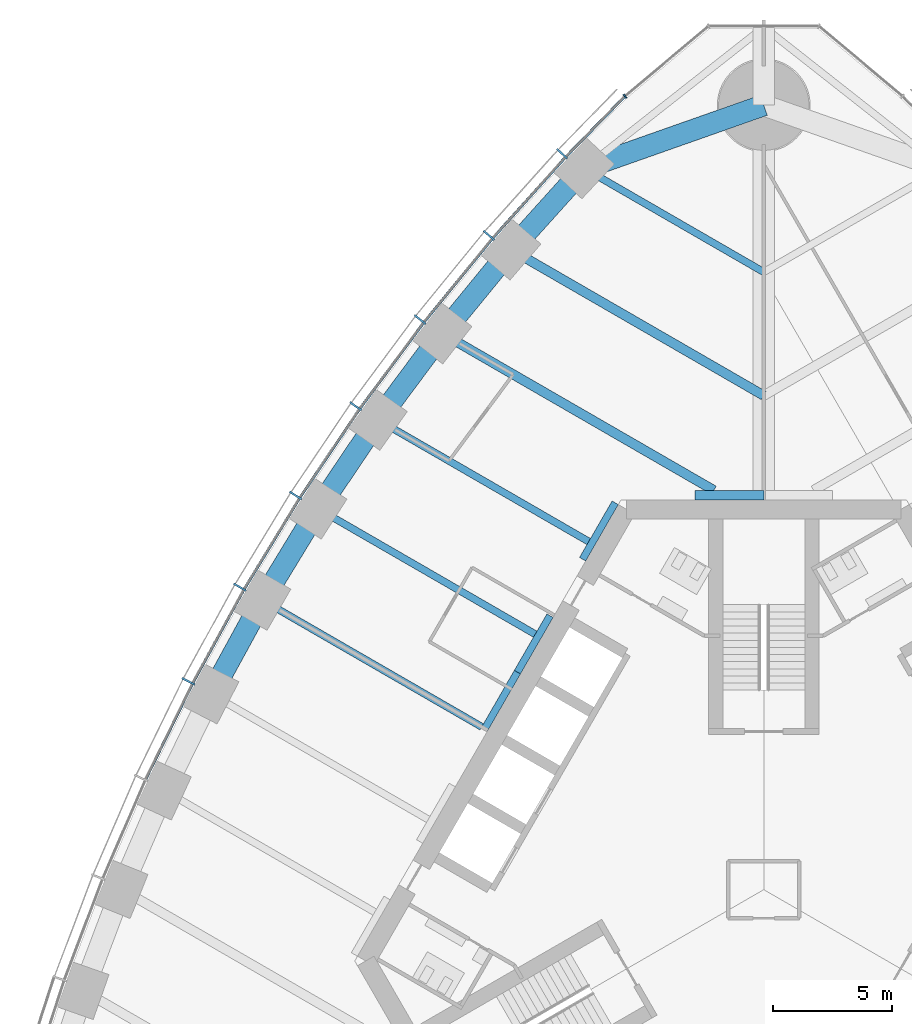
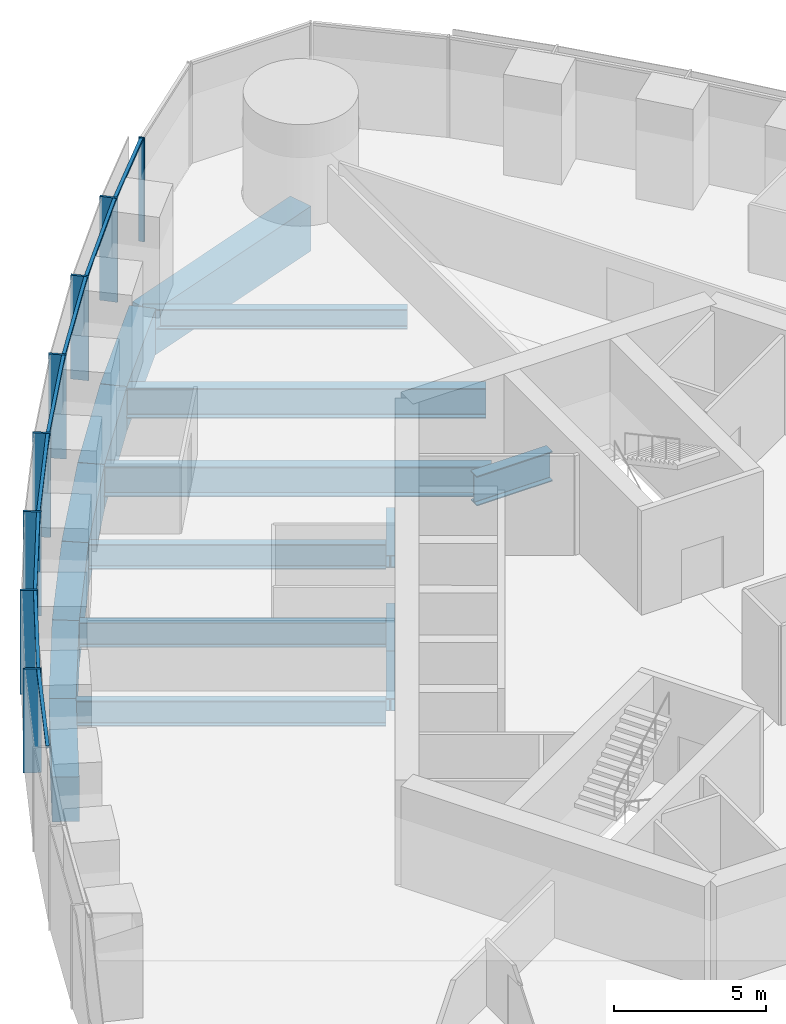
# One storey, part 5 of 18: 17 beams, 16 members, 2 elements without a shape of their own.
"""IFC4 building model written with IfcOpenShell, lengths in metres."""

import ifcopenshell
import ifcopenshell.guid

model = None  # the IFC model being written
_history = None  # IfcOwnerHistory: only IFC2X3 demands one
_inside = {}  # id of a spatial element -> (the spatial element, [elements in it])
_under = {}  # id of a project, library or spatial element -> (it, [spatial elements below it])
_declared = {}  # id of a project -> (the project, [libraries it declares])
_typed = {}  # id of a type object -> (the type object, [elements of that type])
_made_of = {}  # id of a material, layer set ... -> (it, [elements and type objects made of it])


def new_model(schema):
    """Start an empty IFC model of exactly this schema.

    Asked for "IFC4X3", IfcOpenShell would pick the latest addendum, in which some entities
    have other attributes; the version numbers below select the first issue.
    IFC2X3 requires an IfcOwnerHistory on every rooted entity: one is made here for all.
    """
    global model, _history
    if schema == "IFC4X3":
        model = ifcopenshell.file(schema_version=(4, 3, 0, 0))
    else:
        model = ifcopenshell.file(schema=schema)
    _inside.clear()
    _under.clear()
    _declared.clear()
    _typed.clear()
    _made_of.clear()
    _history = None
    if model.schema == "IFC2X3":
        org = make("IfcOrganization", Name="unknown")
        user = make(
            "IfcPersonAndOrganization",
            ThePerson=make("IfcPerson", FamilyName="unknown"),
            TheOrganization=org,
        )
        app = make(
            "IfcApplication",
            ApplicationDeveloper=org,
            Version="unknown",
            ApplicationFullName="unknown",
            ApplicationIdentifier="unknown",
        )
        _history = make(
            "IfcOwnerHistory",
            OwningUser=user,
            OwningApplication=app,
            ChangeAction="ADDED",
            CreationDate=0,
        )
    return model


def make(cls, **values):
    """One entity of the class cls with the attributes given. An attribute that is None is left unset."""
    return model.create_entity(
        cls, **{name: value for name, value in values.items() if value is not None}
    )


def rooted(cls, **values):
    """An entity with a GlobalId (a new one), such as an element, a storey or a relation."""
    return make(cls, GlobalId=ifcopenshell.guid.new(), OwnerHistory=_history, **values)


def si_unit(unit_type, name, prefix=None):
    """IfcSIUnit, for example si_unit("LENGTHUNIT", "METRE", prefix="MILLI")."""
    return make("IfcSIUnit", UnitType=unit_type, Prefix=prefix, Name=name)


def assignment(units):
    """IfcUnitAssignment: the units of a project."""
    return None if units is None else make("IfcUnitAssignment", Units=units)


def point(xyz):
    """IfcCartesianPoint."""
    return None if xyz is None else make("IfcCartesianPoint", Coordinates=xyz)


def direction(xyz):
    """IfcDirection."""
    return None if xyz is None else make("IfcDirection", DirectionRatios=xyz)


def frame(location, z_axis=None, x_axis=None):
    """IfcAxis2Placement3D, a coordinate frame: its origin and axes. An axis left out is left unset."""
    return make(
        "IfcAxis2Placement3D",
        Location=point(location),
        Axis=direction(z_axis),
        RefDirection=direction(x_axis),
    )


def frame_2d(location, x_axis=None):
    """IfcAxis2Placement2D, a coordinate frame in the plane: its origin and x axis."""
    return make(
        "IfcAxis2Placement2D", Location=point(location), RefDirection=direction(x_axis)
    )


def origin():
    """The frame at (0, 0, 0) with its axes left unset."""
    return frame((0.0, 0.0, 0.0))


def origin_2d():
    """The frame at (0, 0) in the plane with its x axis left unset."""
    return frame_2d((0.0, 0.0))


def place(relative_to, where):
    """IfcLocalPlacement: puts the frame where relative to a parent placement (None: the world)."""
    return make(
        "IfcLocalPlacement", PlacementRelTo=relative_to, RelativePlacement=where
    )


def context(
    kind, dimensions, precision=None, world=None, true_north=None, identifier=None
):
    """IfcGeometricRepresentationContext, for example the 3D "Model" context."""
    return make(
        "IfcGeometricRepresentationContext",
        ContextIdentifier=identifier,
        ContextType=kind,
        CoordinateSpaceDimension=dimensions,
        Precision=precision,
        WorldCoordinateSystem=world,
        TrueNorth=true_north,
    )


def subcontext(parent, identifier, kind, view, scale=None):
    """IfcGeometricRepresentationSubContext, for example "Body" below "Model"."""
    return make(
        "IfcGeometricRepresentationSubContext",
        ContextIdentifier=identifier,
        ContextType=kind,
        ParentContext=parent,
        TargetScale=scale,
        TargetView=view,
    )


def project(units=None, contexts=None):
    """IfcProject with its units and contexts."""
    return rooted(
        "IfcProject",
        Name="project",
        RepresentationContexts=contexts,
        UnitsInContext=assignment(units),
    )


def spatial(cls, under=None, at=None, **own):
    """A site, building, storey or space (cls), placed at a placement, below another one or the project."""
    s = rooted(cls, ObjectPlacement=at, **own)
    if under is not None:
        _under.setdefault(under.id(), (under, []))[1].append(s)
    return s


def profile(cls, at=None, kind="AREA", **sizes):
    """A parametric profile (cls). Its sizes go by their IFC names, for example OverallWidth=200.0."""
    return make(cls, ProfileType=kind, Position=at, **sizes)


def rectangle(**sizes):
    """IfcRectangleProfileDef."""
    return profile("IfcRectangleProfileDef", **sizes)


def i_section(**sizes):
    """IfcIShapeProfileDef."""
    return profile("IfcIShapeProfileDef", **sizes)


def extrude(swept, where, along, depth):
    """IfcExtrudedAreaSolid: the profile swept, set in the frame where, extruded along a direction by depth."""
    return make(
        "IfcExtrudedAreaSolid",
        SweptArea=swept,
        Position=where,
        ExtrudedDirection=direction(along),
        Depth=depth,
    )


def shape(context_of_items, identifier, shape_type, items):
    """IfcShapeRepresentation: the items that make up one representation, for example the "Body"."""
    return make(
        "IfcShapeRepresentation",
        ContextOfItems=context_of_items,
        RepresentationIdentifier=identifier,
        RepresentationType=shape_type,
        Items=items,
    )


def material(Name=None, Category=None):
    """IfcMaterial."""
    return make("IfcMaterial", Name=Name, Category=Category)


def material_profile(
    of_material, cross_section, Name=None, Category=None, Priority=None
):
    """IfcMaterialProfile: a cross section and its material."""
    return make(
        "IfcMaterialProfile",
        Name=Name,
        Material=of_material,
        Profile=cross_section,
        Priority=Priority,
        Category=Category,
    )


def profile_set(profiles, Name=None, composite=None):
    """IfcMaterialProfileSet."""
    return make(
        "IfcMaterialProfileSet",
        Name=Name,
        MaterialProfiles=profiles,
        CompositeProfile=composite,
    )


def made_of(thing, what):
    """Note that an element or type object is made of a material, layer set ...; save() writes the relation."""
    if what is not None:
        _made_of.setdefault(what.id(), (what, []))[1].append(thing)
    return thing


def type_object(cls, material=None, **own):
    """A type object (cls), such as IfcWallType, which elements share."""
    return made_of(rooted(cls, **own), material)


def element(
    cls,
    number,
    at=None,
    inside=None,
    cuts=None,
    type_object=None,
    material=None,
    context=None,
    identifier="Body",
    shape_type=None,
    held_by="IfcProductDefinitionShape",
    body=None,
    shapes=None,
    **own,
):
    """One element of the class cls, such as IfcWall. Its Tag is "e" and its number.

    at: its placement. inside: the storey or other place that contains it. cuts: it is an
    opening in that element (IfcRelVoidsElement). A single representation is given by context,
    identifier, shape_type and body (its items); several are given by shapes. held_by: the class
    of the entity that holds the representations. save() writes the other relations.
    """
    e = rooted(cls, Tag="e%d" % number, ObjectPlacement=at, **own)
    if body is not None:
        shapes = [shape(context, identifier, shape_type, body)]
    if shapes is not None:
        e.Representation = make(held_by, Representations=shapes)
    if inside is not None:
        _inside.setdefault(inside.id(), (inside, []))[1].append(e)
    if cuts is not None:
        rooted(
            "IfcRelVoidsElement", RelatingBuildingElement=cuts, RelatedOpeningElement=e
        )
    if type_object is not None:
        _typed.setdefault(type_object.id(), (type_object, []))[1].append(e)
    return made_of(e, material)


def aggregate(whole, parts):
    """IfcRelAggregates: a whole, such as a stair, and the parts it consists of."""
    return rooted("IfcRelAggregates", RelatingObject=whole, RelatedObjects=parts)


def save(model, path):
    """Write the relations noted so far, then the file.

    IfcRelAggregates (storeys below a building ...), IfcRelContainedInSpatialStructure (elements
    in a storey), IfcRelDefinesByType, IfcRelAssociatesMaterial and IfcRelDeclares: one each for
    every whole, place, type object, material and project.
    """
    for whole, parts in _under.values():
        aggregate(whole, parts)
    for where, things in _inside.values():
        rooted(
            "IfcRelContainedInSpatialStructure",
            RelatedElements=things,
            RelatingStructure=where,
        )
    for kind, things in _typed.values():
        rooted("IfcRelDefinesByType", RelatedObjects=things, RelatingType=kind)
    for what, things in _made_of.values():
        rooted("IfcRelAssociatesMaterial", RelatedObjects=things, RelatingMaterial=what)
    for by, libraries in _declared.values():
        rooted("IfcRelDeclares", RelatingContext=by, RelatedDefinitions=libraries)
    model.write(path)


model = new_model("IFC4")

# Units and contexts
model_context = context("Model", 3, precision=1e-05, world=origin(), true_north=direction((0.0, 1.0)))
body_context = subcontext(model_context, "Body", "Model", "MODEL_VIEW")
ifc_project = project(units=[si_unit("LENGTHUNIT", "METRE"), si_unit("AREAUNIT", "SQUARE_METRE"), si_unit("VOLUMEUNIT", "CUBIC_METRE"), si_unit("PLANEANGLEUNIT", "RADIAN"), si_unit("MASSUNIT", "GRAM", prefix="KILO")], contexts=[model_context])

# Site, building, storey
site_placement = place(None, origin())
site = spatial("IfcSite", under=ifc_project, at=site_placement, CompositionType="ELEMENT")
building_placement = place(site_placement, origin())
building = spatial("IfcBuilding", under=site, at=building_placement, Name="Trefoil Bronze Tower", CompositionType="ELEMENT")
storey_placement = place(building_placement, frame((0.0, 0.0, 198.10009765625)))
storey = spatial("IfcBuildingStorey", under=building, at=storey_placement, Name="L45", CompositionType="ELEMENT", Elevation=198.10009765625)

# Curtain wall, members
ifc_material_1 = material(Name="Tinted solar-control glass", Category="glass")
curtain_wall_type_1 = type_object("IfcCurtainWallType", Name="Bronze office curtain wall", PredefinedType="USERDEFINED", material=ifc_material_1)
curtain_wall_1_placement = place(storey_placement, origin())
curtain_wall_1 = element("IfcCurtainWall", 1, at=curtain_wall_1_placement, inside=storey, type_object=curtain_wall_type_1, Name="CW-A L45 F3", ObjectType="CURTAIN WALL", PredefinedType="USERDEFINED")
ifc_material_2 = material(Name="Bronze-finish aluminium", Category="aluminium")
ifc_material_profile_1 = material_profile(ifc_material_2, rectangle(XDim=0.60009765625, YDim=0.080078125, at=origin_2d()), Name="CW-A mullion")
ifc_profile_set_1 = profile_set([ifc_material_profile_1], Name="Bronze-finish aluminium")
member_type_1 = type_object("IfcMemberType", Name="Bronze office curtain wall mullion", PredefinedType="MULLION", material=ifc_profile_set_1)
member_1_placement = place(storey_placement, frame((-8.482177734375, 30.95654296875, 0.0), z_axis=(0.0, 0.0, 1.0), x_axis=(0.729859580661, -0.683597098091, 0.0)))
member_1 = element("IfcMember", 2, at=member_1_placement, type_object=member_type_1, Name="CW-A L45 F3 mullion 2", PredefinedType="MULLION", context=body_context, shape_type="SweptSolid", body=[
    extrude(rectangle(XDim=0.60009765625, YDim=0.080078125, at=origin_2d()), origin(), (0.0, 0.0, 1.0), 4.179931640625),
])
member_2_placement = place(storey_placement, frame((-11.564697265625, 27.525146484375, 0.0), z_axis=(0.0, 0.0, 1.0), x_axis=(0.75935470958, -0.650676897576, 0.0)))
member_2 = element("IfcMember", 3, at=member_2_placement, type_object=member_type_1, Name="CW-A L45 F3 mullion 3", PredefinedType="MULLION", context=body_context, shape_type="SweptSolid", body=[
    extrude(rectangle(XDim=0.60009765625, YDim=0.080078125, at=origin_2d()), origin(), (0.0, 0.0, 1.0), 4.179931640625),
])
member_3_placement = place(storey_placement, frame((-14.45849609375, 23.98388671875, 0.0), z_axis=(0.0, 0.0, 1.0), x_axis=(0.788821461078, -0.614622406476, 0.0)))
member_3 = element("IfcMember", 4, at=member_3_placement, type_object=member_type_1, Name="CW-A L45 F3 mullion 4", PredefinedType="MULLION", context=body_context, shape_type="SweptSolid", body=[
    extrude(rectangle(XDim=0.60009765625, YDim=0.080078125, at=origin_2d()), origin(), (0.0, 0.0, 1.0), 4.179931640625),
])
member_4_placement = place(storey_placement, frame((-17.167236328125, 20.335693359375, 0.0), z_axis=(0.0, 0.0, 1.0), x_axis=(0.81640398396, -0.577481198806, 0.0)))
member_4 = element("IfcMember", 5, at=member_4_placement, type_object=member_type_1, Name="CW-A L45 F3 mullion 5", PredefinedType="MULLION", context=body_context, shape_type="SweptSolid", body=[
    extrude(rectangle(XDim=0.60009765625, YDim=0.080078125, at=origin_2d()), origin(), (0.0, 0.0, 1.0), 4.179931640625),
])
member_5_placement = place(storey_placement, frame((-19.694091796875, 16.58251953125, 0.0), z_axis=(0.0, 0.0, 1.0), x_axis=(0.842132664593, -0.539270410114, 0.0)))
member_5 = element("IfcMember", 6, at=member_5_placement, type_object=member_type_1, Name="CW-A L45 F3 mullion 6", PredefinedType="MULLION", context=body_context, shape_type="SweptSolid", body=[
    extrude(rectangle(XDim=0.60009765625, YDim=0.080078125, at=origin_2d()), origin(), (0.0, 0.0, 1.0), 4.179931640625),
])
member_6_placement = place(storey_placement, frame((-22.041015625, 12.725341796875, 0.0), z_axis=(0.0, 0.0, 1.0), x_axis=(0.866025403784, -0.5, 0.0)))
member_6 = element("IfcMember", 7, at=member_6_placement, type_object=member_type_1, Name="CW-A L45 F3 mullion 7", PredefinedType="MULLION", context=body_context, shape_type="SweptSolid", body=[
    extrude(rectangle(XDim=0.60009765625, YDim=0.080078125, at=origin_2d()), origin(), (0.0, 0.0, 1.0), 4.179931640625),
])
member_7_placement = place(storey_placement, frame((-24.2080078125, 8.764404296875, 0.0), z_axis=(0.0, 0.0, 1.0), x_axis=(0.888088206965, -0.459673075837, 0.0)))
member_7 = element("IfcMember", 8, at=member_7_placement, type_object=member_type_1, Name="CW-A L45 F3 mullion 8", PredefinedType="MULLION", context=body_context, shape_type="SweptSolid", body=[
    extrude(rectangle(XDim=0.60009765625, YDim=0.080078125, at=origin_2d()), origin(), (0.0, 0.0, 1.0), 4.179931640625),
])
ifc_material_3 = material(Name="Bronze-finish aluminium", Category="aluminium")
ifc_material_profile_2 = material_profile(ifc_material_3, rectangle(XDim=0.1201171875, YDim=0.10009765625, at=origin_2d()), Name="CW-A transom")
ifc_profile_set_2 = profile_set([ifc_material_profile_2], Name="Bronze-finish aluminium")
member_type_2 = type_object("IfcMemberType", Name="Bronze office curtain wall transom", PredefinedType="USERDEFINED", material=ifc_profile_set_2)
member_8_placement = place(storey_placement, frame((-5.873046875, 33.342529296875, 4.1298828125), z_axis=(-0.698646935368, -0.715466602785, 0.0), x_axis=(0.715466602785, -0.698646935368, 0.0)))
member_8 = element("IfcMember", 9, at=member_8_placement, type_object=member_type_2, Name="CW-A L45 F3 transom 1", ObjectType="TRANSOM", PredefinedType="USERDEFINED", context=body_context, shape_type="SweptSolid", body=[
    extrude(rectangle(XDim=0.1201171875, YDim=0.10009765625, at=origin_2d()), origin(), (0.0, 0.0, 1.0), 3.483642578125),
])
member_9_placement = place(storey_placement, frame((-8.364501953125, 30.78857421875, 4.1298828125), z_axis=(-0.66825109551, -0.743935799213, 0.0), x_axis=(0.743935799213, -0.66825109551, 0.0)))
member_9 = element("IfcMember", 10, at=member_9_placement, type_object=member_type_2, Name="CW-A L45 F3 transom 2", ObjectType="TRANSOM", PredefinedType="USERDEFINED", context=body_context, shape_type="SweptSolid", body=[
    extrude(rectangle(XDim=0.1201171875, YDim=0.10009765625, at=origin_2d()), origin(), (0.0, 0.0, 1.0), 4.519287109375),
])
member_10_placement = place(storey_placement, frame((-11.439453125, 27.3623046875, 4.1298828125), z_axis=(-0.632756871921, -0.774350528531, 0.0), x_axis=(0.774350528531, -0.632756871921, 0.0)))
member_10 = element("IfcMember", 11, at=member_10_placement, type_object=member_type_2, Name="CW-A L45 F3 transom 3", ObjectType="TRANSOM", PredefinedType="USERDEFINED", context=body_context, shape_type="SweptSolid", body=[
    extrude(rectangle(XDim=0.1201171875, YDim=0.10009765625, at=origin_2d()), origin(), (0.0, 0.0, 1.0), 4.4794921875),
])
member_11_placement = place(storey_placement, frame((-14.325927734375, 23.826904296875, 4.1298828125), z_axis=(-0.59614822717, -0.802874393191, 0.0), x_axis=(0.802874393191, -0.59614822717, 0.0)))
member_11 = element("IfcMember", 12, at=member_11_placement, type_object=member_type_2, Name="CW-A L45 F3 transom 4", ObjectType="TRANSOM", PredefinedType="USERDEFINED", context=body_context, shape_type="SweptSolid", body=[
    extrude(rectangle(XDim=0.1201171875, YDim=0.10009765625, at=origin_2d()), origin(), (0.0, 0.0, 1.0), 4.449951171875),
])
member_12_placement = place(storey_placement, frame((-17.027587890625, 20.18505859375, 4.1298828125), z_axis=(-0.558509087547, -0.829498402125, 0.0), x_axis=(0.829498402125, -0.558509087547, 0.0)))
member_12 = element("IfcMember", 13, at=member_12_placement, type_object=member_type_2, Name="CW-A L45 F3 transom 5", ObjectType="TRANSOM", PredefinedType="USERDEFINED", context=body_context, shape_type="SweptSolid", body=[
    extrude(rectangle(XDim=0.1201171875, YDim=0.10009765625, at=origin_2d()), origin(), (0.0, 0.0, 1.0), 4.4306640625),
])
member_13_placement = place(storey_placement, frame((-19.5478515625, 16.4384765625, 4.1298828125), z_axis=(-0.519740214649, -0.854324358354, 0.0), x_axis=(0.854324358354, -0.519740214649, 0.0)))
member_13 = element("IfcMember", 14, at=member_13_placement, type_object=member_type_2, Name="CW-A L45 F3 transom 6", ObjectType="TRANSOM", PredefinedType="USERDEFINED", context=body_context, shape_type="SweptSolid", body=[
    extrude(rectangle(XDim=0.1201171875, YDim=0.10009765625, at=origin_2d()), origin(), (0.0, 0.0, 1.0), 4.421142578125),
])
member_14_placement = place(storey_placement, frame((-21.887939453125, 12.588134765625, 4.1298828125), z_axis=(-0.479973729071, -0.877282861683, 0.0), x_axis=(0.877282861683, -0.479973729071, 0.0)))
member_14 = element("IfcMember", 15, at=member_14_placement, type_object=member_type_2, Name="CW-A L45 F3 transom 7", ObjectType="TRANSOM", PredefinedType="USERDEFINED", context=body_context, shape_type="SweptSolid", body=[
    extrude(rectangle(XDim=0.1201171875, YDim=0.10009765625, at=origin_2d()), origin(), (0.0, 0.0, 1.0), 4.421142578125),
])
member_15_placement = place(storey_placement, frame((-24.048828125, 8.634521484375, 4.1298828125), z_axis=(-0.439150835991, -0.898413347657, 0.0), x_axis=(0.898413347657, -0.439150835991, 0.0)))
member_15 = element("IfcMember", 16, at=member_15_placement, type_object=member_type_2, Name="CW-A L45 F3 transom 8", ObjectType="TRANSOM", PredefinedType="USERDEFINED", context=body_context, shape_type="SweptSolid", body=[
    extrude(rectangle(XDim=0.1201171875, YDim=0.10009765625, at=origin_2d()), origin(), (0.0, 0.0, 1.0), 4.430908203125),
])
aggregate(curtain_wall_1, [member_1, member_2, member_3, member_4, member_5, member_6, member_7, member_8, member_9, member_10, member_11, member_12, member_13, member_14, member_15])

# Curtain wall, member
ifc_material_4 = material(Name="Tinted solar-control glass", Category="glass")
curtain_wall_type_2 = type_object("IfcCurtainWallType", Name="Bronze rounded corner curtain wall", PredefinedType="USERDEFINED", material=ifc_material_4)
curtain_wall_2_placement = place(storey_placement, origin())
curtain_wall_2 = element("IfcCurtainWall", 17, at=curtain_wall_2_placement, inside=storey, type_object=curtain_wall_type_2, Name="CW-B L45 K2", ObjectType="CURTAIN WALL", PredefinedType="USERDEFINED")
ifc_material_5 = material(Name="Bronze-finish aluminium", Category="aluminium")
ifc_material_profile_3 = material_profile(ifc_material_5, rectangle(XDim=0.199951171875, YDim=0.06005859375, at=origin_2d()), Name="CW-B mullion")
ifc_profile_set_3 = profile_set([ifc_material_profile_3], Name="Bronze-finish aluminium")
member_type_3 = type_object("IfcMemberType", Name="Bronze rounded corner curtain wall mullion", PredefinedType="MULLION", material=ifc_profile_set_3)
member_16_placement = place(storey_placement, frame((-5.837890625, 33.3779296875, 0.0), z_axis=(0.0, 0.0, 1.0), x_axis=(0.642787609687, -0.766044443119, 0.0)))
member_16 = element("IfcMember", 18, at=member_16_placement, type_object=member_type_3, Name="CW-B L45 K2 mullion 4", PredefinedType="MULLION", context=body_context, shape_type="SweptSolid", body=[
    extrude(rectangle(XDim=0.199951171875, YDim=0.06005859375, at=origin_2d()), origin(), (0.0, 0.0, 1.0), 4.179931640625),
])
aggregate(curtain_wall_2, [member_16])

# Beams
ifc_material_6 = material(Name="Steel C355", Category="steel")
ifc_material_profile_4 = material_profile(ifc_material_6, i_section(OverallWidth=0.300048828125, OverallDepth=0.5, WebThickness=0.014404296875, FlangeThickness=0.028076171875, FilletRadius=0.027099609375, at=origin_2d()), Name="HEB 500")
ifc_profile_set_4 = profile_set([ifc_material_profile_4], Name="Steel C355")
beam_type_1 = type_object("IfcBeamType", Name="Core seat beam HEB 500", PredefinedType="BEAM", material=ifc_profile_set_4)
for number, where, z_axis, x_axis, name in (
    (19, (-6.249755859375, 16.27490234375, -0.4501953125), (-0.500035825175, -0.866004719122, 0.0), (0.866004719122, -0.500035825175, 0.0), "Core seat beam F3/-2 L45"),
    (20, (-8.9921875, 11.52490234375, -0.4501953125), (-0.500035825175, -0.866004719122, 0.0), (0.866004719122, -0.500035825175, 0.0), "Core seat beam F3/-1 L45"),
    (21, (-10.363525390625, 9.14990234375, -0.4501953125), (-0.499969057507, -0.866043267704, 0.0), (0.866043267704, -0.499969057507, 0.0), "Core seat beam F3/+0 L45"),
):
    element("IfcBeam", number, at=place(storey_placement, frame(where, z_axis=z_axis, x_axis=x_axis)), inside=storey, type_object=beam_type_1, Name=name, PredefinedType="BEAM", context=body_context, shape_type="SweptSolid", body=[
        extrude(i_section(OverallWidth=0.300048828125, OverallDepth=0.5, WebThickness=0.014404296875, FlangeThickness=0.028076171875, FilletRadius=0.027099609375, at=origin_2d()), origin(), (0.0, 0.0, 1.0), 2.742431640625),
    ])
ifc_material_7 = material(Name="Steel C355", Category="steel")
ifc_material_profile_5 = material_profile(ifc_material_7, i_section(OverallWidth=0.39990234375, OverallDepth=1.199951171875, WebThickness=0.02001953125, FlangeThickness=0.0400390625, FilletRadius=0.010009765625, at=origin_2d()), Name="WPG 1200")
ifc_profile_set_5 = profile_set([ifc_material_profile_5], Name="Steel C355")
beam_type_2 = type_object("IfcBeamType", Name="Core seat beam WPG 1200", PredefinedType="BEAM", material=ifc_profile_set_5)
beam_1_placement = place(storey_placement, frame((0.0, 16.60009765625, -0.800048828125), z_axis=(-1.0, 0.0, 0.0), x_axis=(0.0, -1.0, 0.0)))
element("IfcBeam", 22, at=beam_1_placement, inside=storey, type_object=beam_type_2, Name="Core seat beam F3/-3 L45", PredefinedType="BEAM", context=body_context, shape_type="SweptSolid", body=[
    extrude(i_section(OverallWidth=0.39990234375, OverallDepth=1.199951171875, WebThickness=0.02001953125, FlangeThickness=0.0400390625, FilletRadius=0.010009765625, at=origin_2d()), origin(), (0.0, 0.0, 1.0), 2.88671875),
])
ifc_material_8 = material(Name="Concrete B80", Category="concrete")
ifc_material_profile_6 = material_profile(ifc_material_8, rectangle(XDim=0.89990234375, YDim=1.800048828125, at=origin_2d()), Name="RC 900x1800")
ifc_profile_set_6 = profile_set([ifc_material_profile_6], Name="Concrete B80")
beam_type_3 = type_object("IfcBeamType", Name="End spandrel beam RC 900x1800", PredefinedType="SPANDREL", material=ifc_profile_set_6)
beam_2_placement = place(storey_placement, frame((0.0, 33.0, -1.10009765625), z_axis=(-0.943234397359, -0.332127794137, 0.0), x_axis=(0.332127794137, -0.943234397359, 0.0)))
element("IfcBeam", 23, at=beam_2_placement, inside=storey, type_object=beam_type_3, Name="Spandrel F3.1 L45", PredefinedType="SPANDREL", context=body_context, shape_type="SweptSolid", body=[
    extrude(rectangle(XDim=0.89990234375, YDim=1.800048828125, at=origin_2d()), origin(), (0.0, 0.0, 1.0), 8.006591796875),
])
ifc_material_9 = material(Name="Steel C355", Category="steel")
ifc_material_profile_7 = material_profile(ifc_material_9, i_section(OverallWidth=0.300048828125, OverallDepth=1.0, WebThickness=0.01904296875, FlangeThickness=0.035888671875, FilletRadius=0.030029296875, at=origin_2d()), Name="HEB 1000")
ifc_profile_set_7 = profile_set([ifc_material_profile_7], Name="Steel C355")
beam_type_4 = type_object("IfcBeamType", Name="Floor beam HEB 1000", PredefinedType="BEAM", material=ifc_profile_set_7)
beam_3_placement = place(storey_placement, frame((-16.2265625, 19.7607421875, -0.7001953125), z_axis=(0.866027856548, -0.499995751665, 0.0), x_axis=(0.499995751665, 0.866027856548, 0.0)))
element("IfcBeam", 24, at=beam_3_placement, inside=storey, type_object=beam_type_4, Name="Floor beam F3/-2 L45", PredefinedType="BEAM", context=body_context, shape_type="SweptSolid", body=[
    extrude(i_section(OverallWidth=0.300048828125, OverallDepth=1.0, WebThickness=0.01904296875, FlangeThickness=0.035888671875, FilletRadius=0.030029296875, at=origin_2d()), origin(), (0.0, 0.0, 1.0), 10.23291015625),
])
beam_4_placement = place(storey_placement, frame((-18.748046875, 16.020263671875, -0.7001953125), z_axis=(0.866027918957, -0.499995643569, 0.0), x_axis=(0.499995643569, 0.866027918957, 0.0)))
element("IfcBeam", 25, at=beam_4_placement, inside=storey, type_object=beam_type_4, Name="Floor beam F3/-1 L45", PredefinedType="BEAM", context=body_context, shape_type="SweptSolid", body=[
    extrude(i_section(OverallWidth=0.300048828125, OverallDepth=1.0, WebThickness=0.01904296875, FlangeThickness=0.035888671875, FilletRadius=0.030029296875, at=origin_2d()), origin(), (0.0, 0.0, 1.0), 10.54638671875),
])
ifc_material_10 = material(Name="Steel C355", Category="steel")
ifc_material_profile_8 = material_profile(ifc_material_10, i_section(OverallWidth=0.300048828125, OverallDepth=0.800048828125, WebThickness=0.017578125, FlangeThickness=0.032958984375, FilletRadius=0.030029296875, at=origin_2d()), Name="HEB 800")
ifc_profile_set_8 = profile_set([ifc_material_profile_8], Name="Steel C355")
beam_type_5 = type_object("IfcBeamType", Name="Floor beam HEB 800", PredefinedType="BEAM", material=ifc_profile_set_8)
beam_5_placement = place(storey_placement, frame((-7.552001953125, 30.3408203125, -0.60009765625), z_axis=(0.866027535932, -0.499996306993, 0.0), x_axis=(0.499996306993, 0.866027535932, 0.0)))
element("IfcBeam", 26, at=beam_5_placement, inside=storey, type_object=beam_type_5, Name="Floor beam F3/-5 L45", PredefinedType="BEAM", context=body_context, shape_type="SweptSolid", body=[
    extrude(i_section(OverallWidth=0.300048828125, OverallDepth=0.800048828125, WebThickness=0.017578125, FlangeThickness=0.032958984375, FilletRadius=0.030029296875, at=origin_2d()), origin(), (0.0, 0.0, 1.0), 8.72021484375),
])
ifc_material_11 = material(Name="Steel C355", Category="steel")
ifc_material_profile_9 = material_profile(ifc_material_11, i_section(OverallWidth=0.302001953125, OverallDepth=1.008056640625, WebThickness=0.02099609375, FlangeThickness=0.0400390625, FilletRadius=0.030029296875, at=origin_2d()), Name="HEM 1000")
ifc_profile_set_9 = profile_set([ifc_material_profile_9], Name="Steel C355")
beam_type_6 = type_object("IfcBeamType", Name="Floor beam HEM 1000", PredefinedType="BEAM", material=ifc_profile_set_9)
beam_6_placement = place(storey_placement, frame((-21.08837890625, 12.17529296875, -0.7041015625), z_axis=(0.866034044198, -0.499985034066, 0.0), x_axis=(0.499985034066, 0.866034044198, 0.0)))
element("IfcBeam", 27, at=beam_6_placement, inside=storey, type_object=beam_type_6, Name="Floor beam F3/+0 L45", PredefinedType="BEAM", context=body_context, shape_type="SweptSolid", body=[
    extrude(i_section(OverallWidth=0.302001953125, OverallDepth=1.008056640625, WebThickness=0.02099609375, FlangeThickness=0.0400390625, FilletRadius=0.030029296875, at=origin_2d()), origin(), (0.0, 0.0, 1.0), 10.650634765625),
])
ifc_material_12 = material(Name="Steel C355", Category="steel")
ifc_material_profile_10 = material_profile(ifc_material_12, i_section(OverallWidth=0.39990234375, OverallDepth=1.199951171875, WebThickness=0.02001953125, FlangeThickness=0.0400390625, FilletRadius=0.010009765625, at=origin_2d()), Name="WPG 1200")
ifc_profile_set_10 = profile_set([ifc_material_profile_10], Name="Steel C355")
beam_type_7 = type_object("IfcBeamType", Name="Floor beam WPG 1200", PredefinedType="BEAM", material=ifc_profile_set_10)
beam_7_placement = place(storey_placement, frame((-10.632080078125, 26.923095703125, -0.800048828125), z_axis=(0.866025635187, -0.499999599199, 0.0), x_axis=(0.499999599199, 0.866025635187, 0.0)))
element("IfcBeam", 28, at=beam_7_placement, inside=storey, type_object=beam_type_7, Name="Floor beam F3/-4 L45", PredefinedType="BEAM", context=body_context, shape_type="SweptSolid", body=[
    extrude(i_section(OverallWidth=0.39990234375, OverallDepth=1.199951171875, WebThickness=0.02001953125, FlangeThickness=0.0400390625, FilletRadius=0.010009765625, at=origin_2d()), origin(), (0.0, 0.0, 1.0), 12.27685546875),
])
beam_8_placement = place(storey_placement, frame((-13.522216796875, 23.3955078125, -0.800048828125), z_axis=(0.866028399451, -0.499994811317, 0.0), x_axis=(0.499994811317, 0.866028399451, 0.0)))
element("IfcBeam", 29, at=beam_8_placement, inside=storey, type_object=beam_type_7, Name="Floor beam F3/-3 L45", PredefinedType="BEAM", context=body_context, shape_type="SweptSolid", body=[
    extrude(i_section(OverallWidth=0.39990234375, OverallDepth=1.199951171875, WebThickness=0.02001953125, FlangeThickness=0.0400390625, FilletRadius=0.010009765625, at=origin_2d()), origin(), (0.0, 0.0, 1.0), 13.191162109375),
])
ifc_material_13 = material(Name="Concrete B80", Category="concrete")
ifc_material_profile_11 = material_profile(ifc_material_13, rectangle(XDim=0.89990234375, YDim=1.800048828125, at=origin_2d()), Name="RC 900x1800")
ifc_profile_set_11 = profile_set([ifc_material_profile_11], Name="Concrete B80")
beam_type_8 = type_object("IfcBeamType", Name="Spandrel beam RC 900x1800", PredefinedType="SPANDREL", material=ifc_profile_set_11)
beam_9_placement = place(storey_placement, frame((-7.552001953125, 30.3408203125, -1.10009765625), z_axis=(-0.669460045872, -0.742848064534, 0.0), x_axis=(0.742848064534, -0.669460045872, 0.0)))
element("IfcBeam", 30, at=beam_9_placement, inside=storey, type_object=beam_type_8, Name="Spandrel F3.2 L45", PredefinedType="SPANDREL", context=body_context, shape_type="SweptSolid", body=[
    extrude(rectangle(XDim=0.89990234375, YDim=1.800048828125, at=origin_2d()), origin(), (0.0, 0.0, 1.0), 4.600830078125),
])
beam_10_placement = place(storey_placement, frame((-10.632080078125, 26.923095703125, -1.10009765625), z_axis=(-0.633753657863, -0.773534938542, 0.0), x_axis=(0.773534938542, -0.633753657863, 0.0)))
element("IfcBeam", 31, at=beam_10_placement, inside=storey, type_object=beam_type_8, Name="Spandrel F3.3 L45", PredefinedType="SPANDREL", context=body_context, shape_type="SweptSolid", body=[
    extrude(rectangle(XDim=0.89990234375, YDim=1.800048828125, at=origin_2d()), origin(), (0.0, 0.0, 1.0), 4.560302734375),
])
beam_11_placement = place(storey_placement, frame((-13.522216796875, 23.3955078125, -1.10009765625), z_axis=(-0.596926078257, -0.802296240236, 0.0), x_axis=(0.802296240236, -0.596926078257, 0.0)))
element("IfcBeam", 32, at=beam_11_placement, inside=storey, type_object=beam_type_8, Name="Spandrel F3.4 L45", PredefinedType="SPANDREL", context=body_context, shape_type="SweptSolid", body=[
    extrude(rectangle(XDim=0.89990234375, YDim=1.800048828125, at=origin_2d()), origin(), (0.0, 0.0, 1.0), 4.530517578125),
])
beam_12_placement = place(storey_placement, frame((-16.2265625, 19.7607421875, -1.10009765625), z_axis=(-0.558964302753, -0.829191719838, 0.0), x_axis=(0.829191719838, -0.558964302753, 0.0)))
element("IfcBeam", 33, at=beam_12_placement, inside=storey, type_object=beam_type_8, Name="Spandrel F3.5 L45", PredefinedType="SPANDREL", context=body_context, shape_type="SweptSolid", body=[
    extrude(rectangle(XDim=0.89990234375, YDim=1.800048828125, at=origin_2d()), origin(), (0.0, 0.0, 1.0), 4.510986328125),
])
for number, where, z_axis, x_axis, name in (
    (34, (-18.748046875, 16.020263671875, -1.10009765625), (-0.519933181394, -0.854206934464, 0.0), (0.854206934464, -0.519933181394, 0.0), "Spandrel F3.6 L45"),
    (35, (-21.08837890625, 12.17529296875, -1.10009765625), (-0.479801903802, -0.87737684783, 0.0), (0.87737684783, -0.479801903802, 0.0), "Spandrel F3.7 L45"),
):
    element("IfcBeam", number, at=place(storey_placement, frame(where, z_axis=z_axis, x_axis=x_axis)), inside=storey, type_object=beam_type_8, Name=name, PredefinedType="SPANDREL", context=body_context, shape_type="SweptSolid", body=[
        extrude(rectangle(XDim=0.89990234375, YDim=1.800048828125, at=origin_2d()), origin(), (0.0, 0.0, 1.0), 4.501220703125),
    ])

save(model, "model.ifc")
